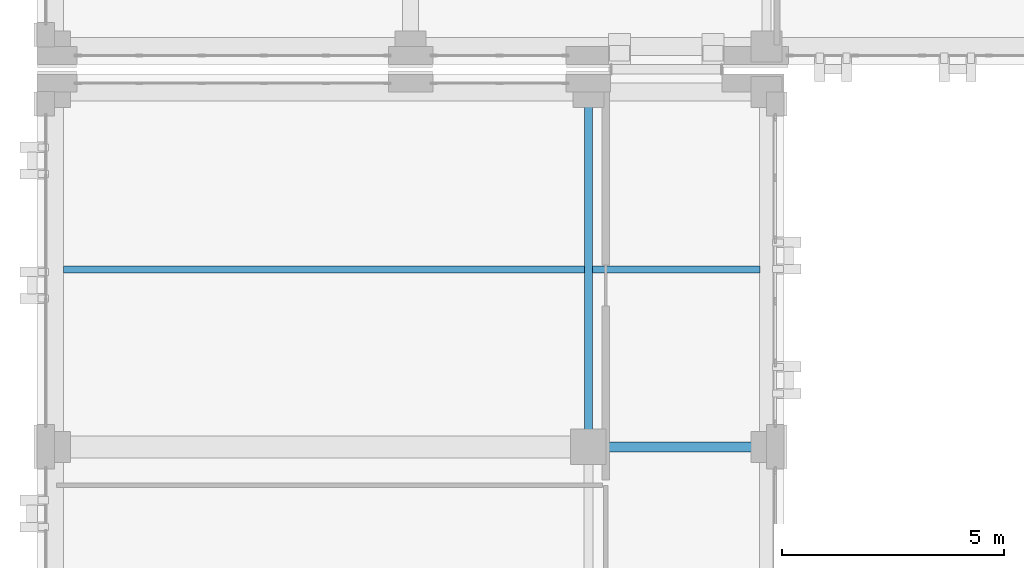
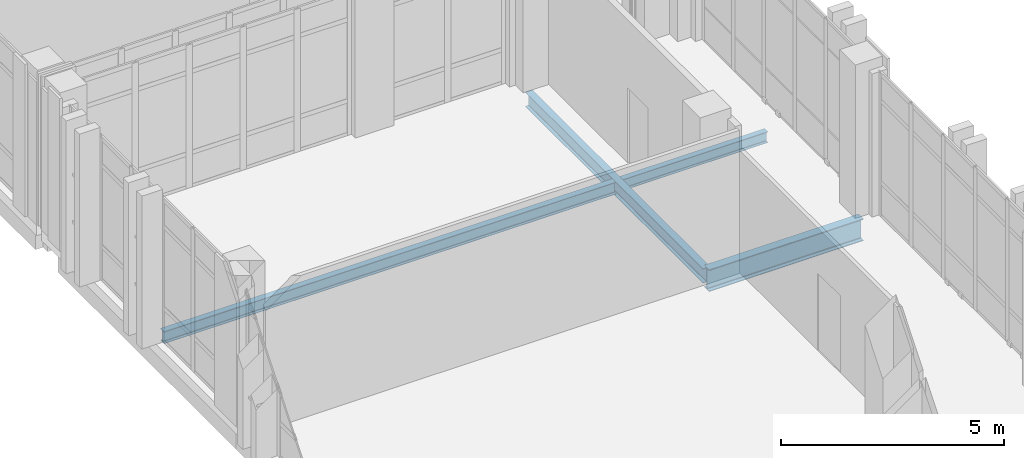
# One storey, part 74 of 158: 4 beams.
"""IFC4 building model written with IfcOpenShell, lengths in metres."""

from ifc_helpers import new_model, si_unit, direction, frame, origin, origin_2d, place, context, subcontext, project, spatial, i_section, extrude, material, material_profile, profile_set, type_object, element, save


model = new_model("IFC4")

# Units and contexts
model_context = context("Model", 3, precision=1e-05, world=origin(), true_north=direction((0.0, 1.0)))
body_context = subcontext(model_context, "Body", "Model", "MODEL_VIEW")
ifc_project = project(units=[si_unit("LENGTHUNIT", "METRE"), si_unit("AREAUNIT", "SQUARE_METRE"), si_unit("VOLUMEUNIT", "CUBIC_METRE"), si_unit("PLANEANGLEUNIT", "RADIAN"), si_unit("MASSUNIT", "GRAM", prefix="KILO")], contexts=[model_context])

# Site, building, storey
site_placement = place(None, origin())
site = spatial("IfcSite", under=ifc_project, at=site_placement, CompositionType="ELEMENT")
building_placement = place(site_placement, origin())
building = spatial("IfcBuilding", under=site, at=building_placement, Name="Qalavern Law Courts", CompositionType="ELEMENT")
storey_placement = place(building_placement, frame((0.0, 0.0, 18.60009765625)))
storey = spatial("IfcBuildingStorey", under=building, at=storey_placement, Name="L04", CompositionType="ELEMENT", Elevation=18.60009765625)

# Beams
ifc_material = material(Name="Steel S355", Category="steel")
ifc_material_profile_1 = material_profile(ifc_material, i_section(OverallWidth=0.179931640625, OverallDepth=0.39990234375, WebThickness=0.008544921875, FlangeThickness=0.013427734375, FilletRadius=0.02099609375, at=origin_2d()), Name="IPE 400")
ifc_profile_set_1 = profile_set([ifc_material_profile_1], Name="Steel S355")
beam_type_1 = type_object("IfcBeamType", Name="STR-BM-IPE400", PredefinedType="BEAM", material=ifc_profile_set_1)
beam_1_placement = place(storey_placement, frame((14.39990234375, 87.60009765625, -0.47998046875), z_axis=(0.0, 1.0, 0.0), x_axis=(-1.0, 0.0, 0.0)))
element("IfcBeam", 1, at=beam_1_placement, inside=storey, type_object=beam_type_1, Name="V3 Y-beam 2-7 L04", PredefinedType="BEAM", context=body_context, shape_type="SweptSolid", body=[
    extrude(i_section(OverallWidth=0.179931640625, OverallDepth=0.39990234375, WebThickness=0.008544921875, FlangeThickness=0.013427734375, FilletRadius=0.02099609375, at=origin_2d()), origin(), (0.0, 0.0, 1.0), 7.97998046875),
])
ifc_material_profile_2 = material_profile(ifc_material, i_section(OverallWidth=0.219970703125, OverallDepth=0.60009765625, WebThickness=0.011962890625, FlangeThickness=0.01904296875, FilletRadius=0.02392578125, at=origin_2d()), Name="IPE 600")
ifc_profile_set_2 = profile_set([ifc_material_profile_2], Name="Steel S355")
beam_type_2 = type_object("IfcBeamType", Name="STR-BM-IPE600", PredefinedType="BEAM", material=ifc_profile_set_2)
beam_2_placement = place(storey_placement, frame((14.39990234375, 87.60009765625, -0.580078125), z_axis=(1.0, 0.0, 0.0), x_axis=(0.0, 1.0, 0.0)))
element("IfcBeam", 2, at=beam_2_placement, inside=storey, type_object=beam_type_2, Name="V3 X-beam 7-2 L04", PredefinedType="BEAM", context=body_context, shape_type="SweptSolid", body=[
    extrude(i_section(OverallWidth=0.219970703125, OverallDepth=0.60009765625, WebThickness=0.011962890625, FlangeThickness=0.01904296875, FilletRadius=0.02392578125, at=origin_2d()), origin(), (0.0, 0.0, 1.0), 4.0),
])
ifc_material_profile_3 = material_profile(ifc_material, i_section(OverallWidth=0.14990234375, OverallDepth=0.300048828125, WebThickness=0.007080078125, FlangeThickness=0.0107421875, FilletRadius=0.014892578125, at=origin_2d()), Name="IPE 300")
ifc_profile_set_3 = profile_set([ifc_material_profile_3], Name="Steel S355")
beam_type_3 = type_object("IfcBeamType", Name="STR-JST-IPE300", PredefinedType="JOIST", material=ifc_profile_set_3)
beam_3_placement = place(storey_placement, frame((14.488037109375, 91.590087890625, -0.43017578125), z_axis=(1.0, 0.0, 0.0), x_axis=(0.0, 1.0, 0.0)))
element("IfcBeam", 3, at=beam_3_placement, inside=storey, type_object=beam_type_3, Name="V3 secondary joist 2.7.1 L04", PredefinedType="JOIST", context=body_context, shape_type="SweptSolid", body=[
    extrude(i_section(OverallWidth=0.14990234375, OverallDepth=0.300048828125, WebThickness=0.007080078125, FlangeThickness=0.0107421875, FilletRadius=0.014892578125, at=origin_2d()), origin(), (0.0, 0.0, 1.0), 3.763916015625),
])
ifc_material_profile_4 = material_profile(ifc_material, i_section(OverallWidth=0.159912109375, OverallDepth=0.330078125, WebThickness=0.007568359375, FlangeThickness=0.011474609375, FilletRadius=0.01806640625, at=origin_2d()), Name="IPE 330")
ifc_profile_set_4 = profile_set([ifc_material_profile_4], Name="Steel S355")
beam_type_4 = type_object("IfcBeamType", Name="STR-JST-IPE330", PredefinedType="JOIST", material=ifc_profile_set_4)
beam_4_placement = place(storey_placement, frame((2.597900390625, 91.590087890625, -0.445068359375), z_axis=(1.0, 0.0, 0.0), x_axis=(0.0, 1.0, 0.0)))
element("IfcBeam", 4, at=beam_4_placement, inside=storey, type_object=beam_type_4, Name="V3 secondary joist 1.7.1 L04", PredefinedType="JOIST", context=body_context, shape_type="SweptSolid", body=[
    extrude(i_section(OverallWidth=0.159912109375, OverallDepth=0.330078125, WebThickness=0.007568359375, FlangeThickness=0.011474609375, FilletRadius=0.01806640625, at=origin_2d()), origin(), (0.0, 0.0, 1.0), 11.714111328125),
])

save(model, "model.ifc")
